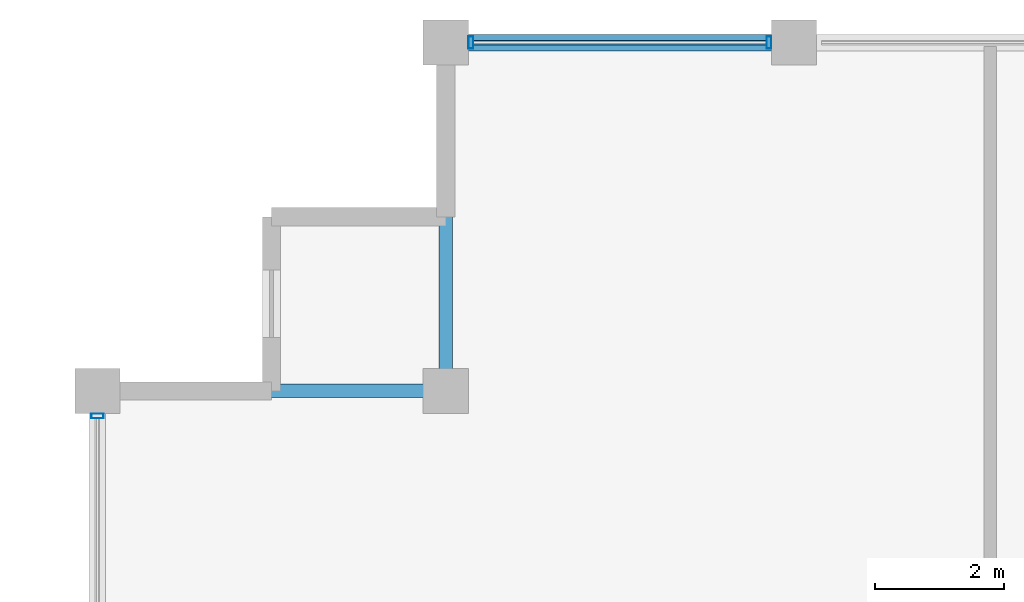
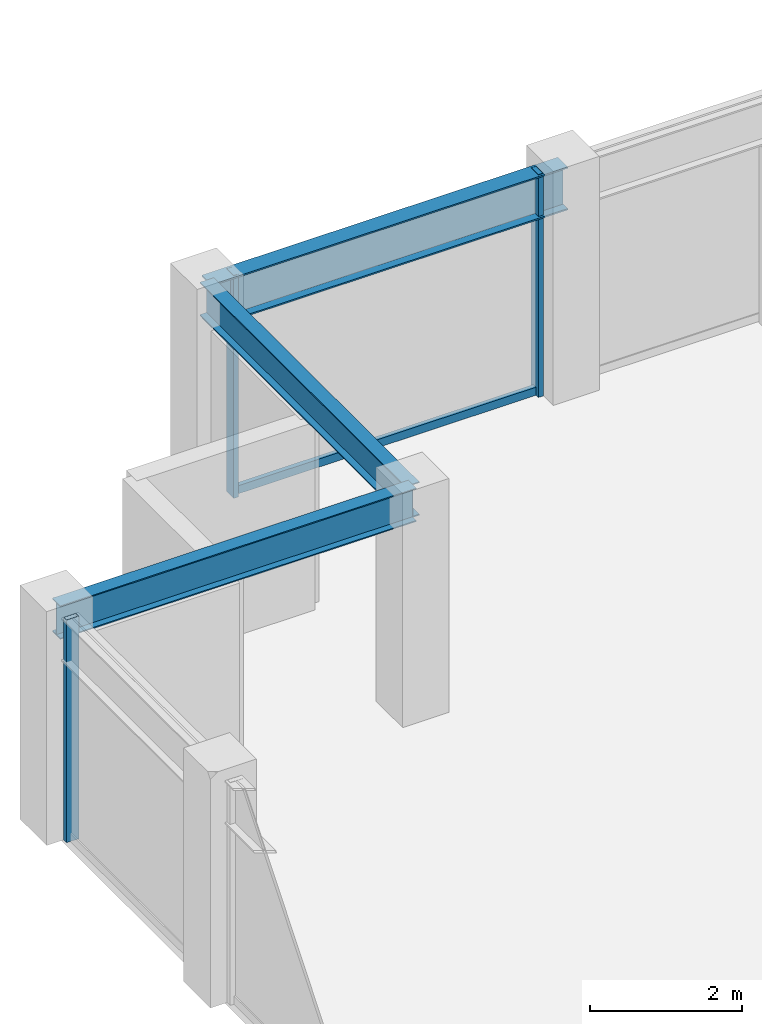
# One storey, part 16 of 30: 4 members, 3 beams, 2 elements without a shape of their own.
"""IFC4 building model written with IfcOpenShell, lengths in metres."""

from ifc_helpers import new_model, si_unit, direction, frame, origin, origin_2d, place, context, subcontext, project, spatial, hollow_rectangle, i_section, extrude, material, layer, layer_set, material_profile, profile_set, type_object, element, aggregate, save


model = new_model("IFC4")

# Units and contexts
model_context = context("Model", 3, precision=1e-05, world=origin(), true_north=direction((0.0, 1.0)))
body_context = subcontext(model_context, "Body", "Model", "MODEL_VIEW")
ifc_project = project(units=[si_unit("LENGTHUNIT", "METRE"), si_unit("AREAUNIT", "SQUARE_METRE"), si_unit("VOLUMEUNIT", "CUBIC_METRE"), si_unit("PLANEANGLEUNIT", "RADIAN"), si_unit("MASSUNIT", "GRAM", prefix="KILO")], contexts=[model_context])

# Site, building, storey
site_placement = place(None, origin())
site = spatial("IfcSite", under=ifc_project, at=site_placement, CompositionType="ELEMENT")
building_placement = place(site_placement, origin())
building = spatial("IfcBuilding", under=site, at=building_placement, Name="Surkhivell Harbour Commons", CompositionType="ELEMENT")
storey_placement = place(building_placement, frame((0.0, 0.0, 281.25)))
storey = spatial("IfcBuildingStorey", under=building, at=storey_placement, Name="L73", CompositionType="ELEMENT", Elevation=281.25)

# Beams
ifc_material_1 = material(Name="Steel S355", Category="steel")
ifc_material_profile_1 = material_profile(ifc_material_1, i_section(OverallWidth=0.2099609375, OverallDepth=0.537109375, WebThickness=0.0107421875, FlangeThickness=0.017333984375, at=origin_2d()), Name="UB533x210x101")
ifc_profile_set_1 = profile_set([ifc_material_profile_1], Name="Steel S355")
beam_type_1 = type_object("IfcBeamType", Name="BM-GRD-533B", PredefinedType="BEAM", material=ifc_profile_set_1)
for number, where, z_axis, x_axis, name in (
    (1, (-27.0, 20.5, 3.301513671875), (1.0, 0.0, 0.0), (0.0, 1.0, 0.0), "L73 Floor Girder (-27.0,20.5)"),
    (2, (-21.60009765625, 20.5, 3.301513671875), (0.0, 1.0, 0.0), (-1.0, 0.0, 0.0), "L73 Floor Girder (-21.6,20.5)"),
):
    element("IfcBeam", number, at=place(storey_placement, frame(where, z_axis=z_axis, x_axis=x_axis)), inside=storey, type_object=beam_type_1, Name=name, PredefinedType="BEAM", context=body_context, shape_type="SweptSolid", body=[
        extrude(i_section(OverallWidth=0.2099609375, OverallDepth=0.537109375, WebThickness=0.0107421875, FlangeThickness=0.017333984375, at=origin_2d()), origin(), (0.0, 0.0, 1.0), 5.39990234375),
    ])
ifc_material_profile_2 = material_profile(ifc_material_1, i_section(OverallWidth=0.256103515625, OverallDepth=0.693115234375, WebThickness=0.014404296875, FlangeThickness=0.023681640625, at=origin_2d()), Name="UB686x254x170")
ifc_profile_set_2 = profile_set([ifc_material_profile_2], Name="Steel S355")
beam_type_2 = type_object("IfcBeamType", Name="BM-SPN-686", PredefinedType="SPANDREL", material=ifc_profile_set_2)
beam_placement = place(storey_placement, frame((-21.60009765625, 25.89990234375, 3.223388671875), z_axis=(1.0, 0.0, 0.0), x_axis=(0.0, 1.0, 0.0)))
element("IfcBeam", 3, at=beam_placement, inside=storey, type_object=beam_type_2, Name="L73 Tube Spandrel (-21.6,25.9)", PredefinedType="SPANDREL", context=body_context, shape_type="SweptSolid", body=[
    extrude(i_section(OverallWidth=0.256103515625, OverallDepth=0.693115234375, WebThickness=0.014404296875, FlangeThickness=0.023681640625, at=origin_2d()), origin(), (0.0, 0.0, 1.0), 5.400146484375),
])

# Curtain wall, members
ifc_material_2 = material(Name="Anodised pale-metal aluminium and insulated glazing", Category="aluminium")
ifc_layer = layer(ifc_material_2, 0.175048828125)
ifc_layer_set = layer_set([ifc_layer], Name="Anodised pale-metal aluminium and insulated glazing")
curtain_wall_type = type_object("IfcCurtainWallType", Name="CW-SYS-Z4", PredefinedType="NOTDEFINED", material=ifc_layer_set)
curtain_wall_1_placement = place(storey_placement, origin())
curtain_wall_1 = element("IfcCurtainWall", 4, at=curtain_wall_1_placement, inside=storey, type_object=curtain_wall_type, Name="L73 Curtain Wall CW-L73-E07S2", PredefinedType="NOTDEFINED")
ifc_material_3 = material(Name="Anodised pale-metal aluminium alloy 6063-T6", Category="aluminium")
ifc_material_profile_3 = material_profile(ifc_material_3, hollow_rectangle(XDim=0.074951171875, YDim=0.18994140625, WallThickness=0.00390625, at=origin_2d()), Name="ALU-MULL-75x190")
ifc_profile_set_3 = profile_set([ifc_material_profile_3], Name="Anodised pale-metal aluminium alloy 6063-T6")
member_type_1 = type_object("IfcMemberType", Name="CWM-190", PredefinedType="MULLION", material=ifc_profile_set_3)
member_1_placement = place(storey_placement, frame((-16.589599609375, 25.89990234375, 0.0), z_axis=(0.0, 0.0, 1.0), x_axis=(-1.0, 0.0, 0.0)))
member_1 = element("IfcMember", 5, at=member_1_placement, type_object=member_type_1, Name="CW-Z4 mullion 3", PredefinedType="MULLION", context=body_context, shape_type="SweptSolid", body=[
    extrude(hollow_rectangle(XDim=0.074951171875, YDim=0.18994140625, WallThickness=0.00390625, at=origin_2d()), origin(), (0.0, 0.0, 1.0), 3.570068359375),
])
member_2_placement = place(storey_placement, frame((-21.21044921875, 25.89990234375, 0.0), z_axis=(0.0, 0.0, 1.0), x_axis=(-1.0, 0.0, 0.0)))
member_2 = element("IfcMember", 6, at=member_2_placement, type_object=member_type_1, Name="CW-Z4 mullion 4", PredefinedType="MULLION", context=body_context, shape_type="SweptSolid", body=[
    extrude(hollow_rectangle(XDim=0.074951171875, YDim=0.18994140625, WallThickness=0.00390625, at=origin_2d()), origin(), (0.0, 0.0, 1.0), 3.570068359375),
])

# Curtain wall, member
curtain_wall_2_placement = place(storey_placement, origin())
curtain_wall_2 = element("IfcCurtainWall", 7, at=curtain_wall_2_placement, inside=storey, type_object=curtain_wall_type, Name="L73 Curtain Wall CW-L73-E12S1", PredefinedType="NOTDEFINED")
member_3_placement = place(storey_placement, frame((-27.0, 20.110595703125, 0.0), z_axis=(0.0, 0.0, 1.0), x_axis=(0.0, -1.0, 0.0)))
member_3 = element("IfcMember", 8, at=member_3_placement, type_object=member_type_1, Name="CW-Z4 mullion 1", PredefinedType="MULLION", context=body_context, shape_type="SweptSolid", body=[
    extrude(hollow_rectangle(XDim=0.074951171875, YDim=0.18994140625, WallThickness=0.00390625, at=origin_2d()), origin(), (0.0, 0.0, 1.0), 3.570068359375),
])
aggregate(curtain_wall_2, [member_3])

# Member
ifc_material_4 = material(Name="Champagne anodised aluminium alloy 6063-T6", Category="aluminium")
ifc_material_profile_4 = material_profile(ifc_material_4, hollow_rectangle(XDim=0.070068359375, YDim=0.1298828125, WallThickness=0.00341796875, at=origin_2d()), Name="ALU-TRAN-70x130")
ifc_profile_set_4 = profile_set([ifc_material_profile_4], Name="Champagne anodised aluminium alloy 6063-T6")
member_type_2 = type_object("IfcMemberType", Name="CWT-130", PredefinedType="USERDEFINED", material=ifc_profile_set_4)
member_4_placement = place(storey_placement, frame((-16.626953125, 25.89990234375, 0.06494140625), z_axis=(-1.0, 0.0, 0.0), x_axis=(0.0, -1.0, 0.0)))
member_4 = element("IfcMember", 9, at=member_4_placement, type_object=member_type_2, Name="CW-Z4 transom 3.1", ObjectType="TRANSOM", PredefinedType="USERDEFINED", context=body_context, shape_type="SweptSolid", body=[
    extrude(hollow_rectangle(XDim=0.070068359375, YDim=0.1298828125, WallThickness=0.00341796875, at=origin_2d()), origin(), (0.0, 0.0, 1.0), 4.546142578125),
])

aggregate(curtain_wall_1, [member_1, member_2, member_4])

save(model, "model.ifc")
